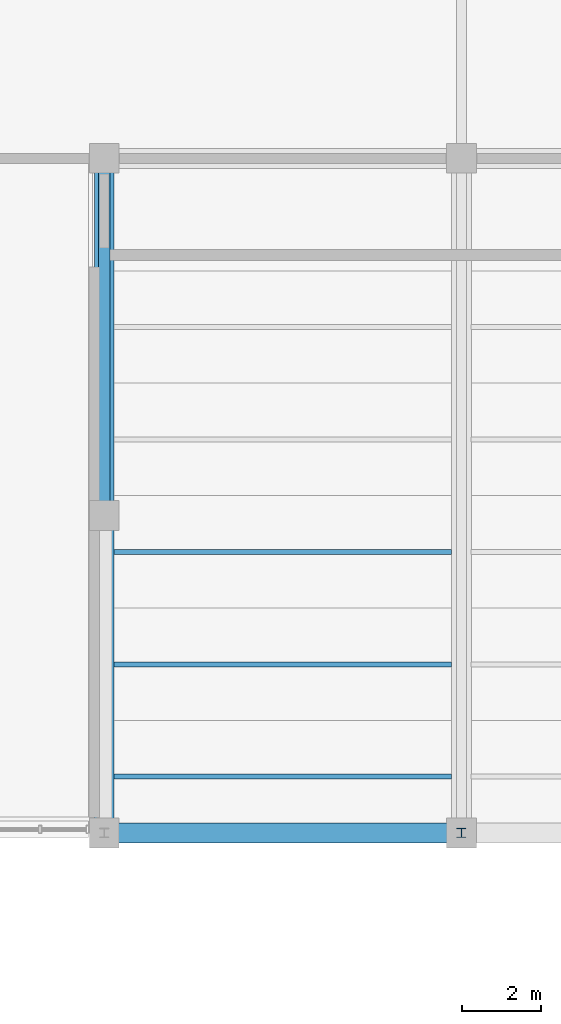
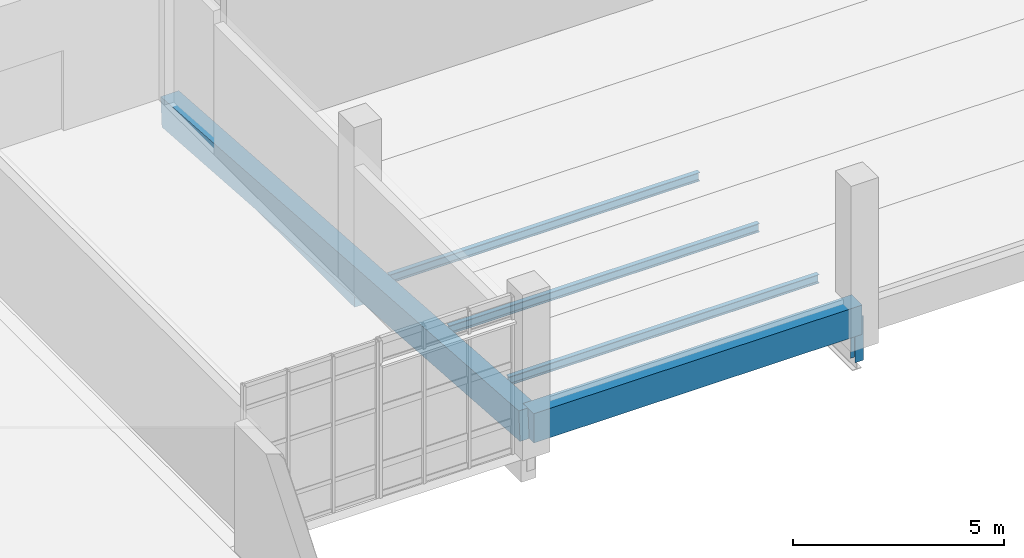
# One storey, part 40 of 100: 5 beams, 2 members.
"""IFC4 building model written with IfcOpenShell, lengths in metres."""

from ifc_helpers import new_model, si_unit, derived_unit, direction, frame, origin, origin_2d, place, context, subcontext, project, spatial, rectangle, i_section, extrude, material, material_profile, profile_set, type_object, element, save


model = new_model("IFC4")

# Units and contexts
model_context = context("Model", 3, precision=1e-05, world=origin(), true_north=direction((0.0, 1.0)))
body_context = subcontext(model_context, "Body", "Model", "MODEL_VIEW")
ifc_project = project(units=[si_unit("LENGTHUNIT", "METRE"), si_unit("AREAUNIT", "SQUARE_METRE"), si_unit("VOLUMEUNIT", "CUBIC_METRE"), si_unit("PLANEANGLEUNIT", "RADIAN"), si_unit("MASSUNIT", "GRAM", prefix="KILO"), derived_unit("THERMALTRANSMITTANCEUNIT", [(si_unit("POWERUNIT", "WATT"), 1), (si_unit("LENGTHUNIT", "METRE"), -2), (si_unit("THERMODYNAMICTEMPERATUREUNIT", "KELVIN"), -1)])], contexts=[model_context])

# Site, building, storey
site_placement = place(None, origin())
site = spatial("IfcSite", under=ifc_project, at=site_placement, CompositionType="ELEMENT")
building_placement = place(site_placement, origin())
building = spatial("IfcBuilding", under=site, at=building_placement, Name="Nallur Shell Playhouse", CompositionType="ELEMENT")
storey_placement = place(building_placement, frame((0.0, 0.0, 10.199951171875)))
storey = spatial("IfcBuildingStorey", under=building, at=storey_placement, Name="L03", CompositionType="ELEMENT", Elevation=10.199951171875)

# Beams
ifc_material_1 = material(Name="Steel E250", Category="steel")
ifc_material_profile_1 = material_profile(ifc_material_1, i_section(OverallWidth=0.125, OverallDepth=0.25, WebThickness=0.0068359375, FlangeThickness=0.012451171875, FilletRadius=0.012939453125, at=origin_2d()), Name="ISMB 250")
ifc_profile_set_1 = profile_set([ifc_material_profile_1], Name="Steel E250")
beam_type_1 = type_object("IfcBeamType", Name="BM-JST-ISMB250", PredefinedType="JOIST", material=ifc_profile_set_1)
for number, where, z_axis, x_axis, name in (
    (1, (126.64794921875, 31.083251953125, 0.554931640625), (1.0, 0.0, 0.0), (0.0, 1.0, 0.0), "Seating tier step bearer STUDIO row 4 (126.4-135.4)"),
    (2, (126.64794921875, 28.25, 0.795166015625), (1.0, 0.0, 0.0), (0.0, 1.0, 0.0), "Seating tier step bearer STUDIO row 5 (126.4-135.4)"),
    (3, (126.64794921875, 25.416748046875, 1.03515625), (1.0, 0.0, 0.0), (0.0, 1.0, 0.0), "Seating tier step bearer STUDIO row 6 (126.4-135.4)"),
):
    element("IfcBeam", number, at=place(storey_placement, frame(where, z_axis=z_axis, x_axis=x_axis)), inside=storey, type_object=beam_type_1, Name=name, PredefinedType="JOIST", context=body_context, shape_type="SweptSolid", body=[
        extrude(i_section(OverallWidth=0.125, OverallDepth=0.25, WebThickness=0.0068359375, FlangeThickness=0.012451171875, FilletRadius=0.012939453125, at=origin_2d()), origin(), (0.0, 0.0, 1.0), 8.504150390625),
    ])
ifc_material_2 = material(Name="Concrete M40", Category="concrete")
ifc_material_profile_2 = material_profile(ifc_material_2, rectangle(XDim=0.5, YDim=0.85009765625, at=origin_2d()), Name="RC 500x850")
ifc_profile_set_2 = profile_set([ifc_material_profile_2], Name="Concrete M40")
beam_type_2 = type_object("IfcBeamType", Name="BM-RC-500x850", PredefinedType="BEAM", material=ifc_profile_set_2)
beam_1_placement = place(storey_placement, frame((126.39990234375, 24.0, 0.735107421875), z_axis=(1.0, 0.0, 0.0), x_axis=(0.0, 1.0, 0.0)))
element("IfcBeam", 4, at=beam_1_placement, inside=storey, type_object=beam_type_2, Name="Studio raker end tie girder B (126.4-135.4)", PredefinedType="BEAM", context=body_context, shape_type="SweptSolid", body=[
    extrude(rectangle(XDim=0.5, YDim=0.85009765625, at=origin_2d()), origin(), (0.0, 0.0, 1.0), 9.0),
])
ifc_material_3 = material(Name="Concrete M35", Category="concrete")
ifc_material_profile_3 = material_profile(ifc_material_3, rectangle(XDim=0.300048828125, YDim=0.449951171875, at=origin_2d()), Name="RC 300x450")
ifc_profile_set_3 = profile_set([ifc_material_profile_3], Name="Concrete M35")
beam_type_3 = type_object("IfcBeamType", Name="BM-SPN-300x450", PredefinedType="SPANDREL", material=ifc_profile_set_3)
beam_2_placement = place(storey_placement, frame((126.39990234375, 32.0, -0.48486328125), z_axis=(0.0, 1.0, 0.0), x_axis=(-1.0, 0.0, 0.0)))
element("IfcBeam", 5, at=beam_2_placement, inside=storey, type_object=beam_type_3, Name="L03 girder Y-16-672", PredefinedType="SPANDREL", context=body_context, shape_type="SweptSolid", body=[
    extrude(rectangle(XDim=0.300048828125, YDim=0.449951171875, at=origin_2d()), origin(), (0.0, 0.0, 1.0), 9.0),
])

# Members
ifc_material_profile_4 = material_profile(ifc_material_2, rectangle(XDim=0.5, YDim=0.85009765625, at=origin_2d()), Name="RC 500x850")
ifc_profile_set_4 = profile_set([ifc_material_profile_4], Name="Concrete M40")
member_type_1 = type_object("IfcMemberType", Name="MB-RAKER-RC", PredefinedType="STRINGER", material=ifc_profile_set_4)
member_1_placement = place(storey_placement, frame((126.39990234375, 41.0, -0.46484375), z_axis=(0.0, -0.997518123498, 0.070410178898), x_axis=(1.0, 0.0, 0.0)))
element("IfcMember", 6, at=member_1_placement, inside=storey, type_object=member_type_1, Name="Auditorium raker beam STUDIO RAKER 1", PredefinedType="STRINGER", context=body_context, shape_type="SweptSolid", body=[
    extrude(rectangle(XDim=0.5, YDim=0.85009765625, at=origin_2d()), origin(), (0.0, 0.0, 1.0), 17.042236328125),
])
ifc_material_4 = material(Name="Steel E350", Category="steel")
ifc_material_profile_5 = material_profile(ifc_material_4, i_section(OverallWidth=0.22509765625, OverallDepth=0.22509765625, WebThickness=0.008544921875, FlangeThickness=0.009033203125, FilletRadius=0.010009765625, at=origin_2d()), Name="ISHB 225")
ifc_profile_set_5 = profile_set([ifc_material_profile_5], Name="Steel E350")
member_type_2 = type_object("IfcMemberType", Name="MB-TR-POST", PredefinedType="POST", material=ifc_profile_set_5)
member_2_placement = place(storey_placement, frame((135.39990234375, 24.0, -0.56005859375), z_axis=(0.0, 0.0, 1.0), x_axis=(1.0, 0.0, 0.0)))
element("IfcMember", 7, at=member_2_placement, inside=storey, type_object=member_type_2, Name="Studio raker rear column post X=135.4", PredefinedType="POST", context=body_context, shape_type="SweptSolid", body=[
    extrude(i_section(OverallWidth=0.22509765625, OverallDepth=0.22509765625, WebThickness=0.008544921875, FlangeThickness=0.009033203125, FilletRadius=0.010009765625, at=origin_2d()), origin(), (0.0, 0.0, 1.0), 1.295166015625),
])

save(model, "model.ifc")
